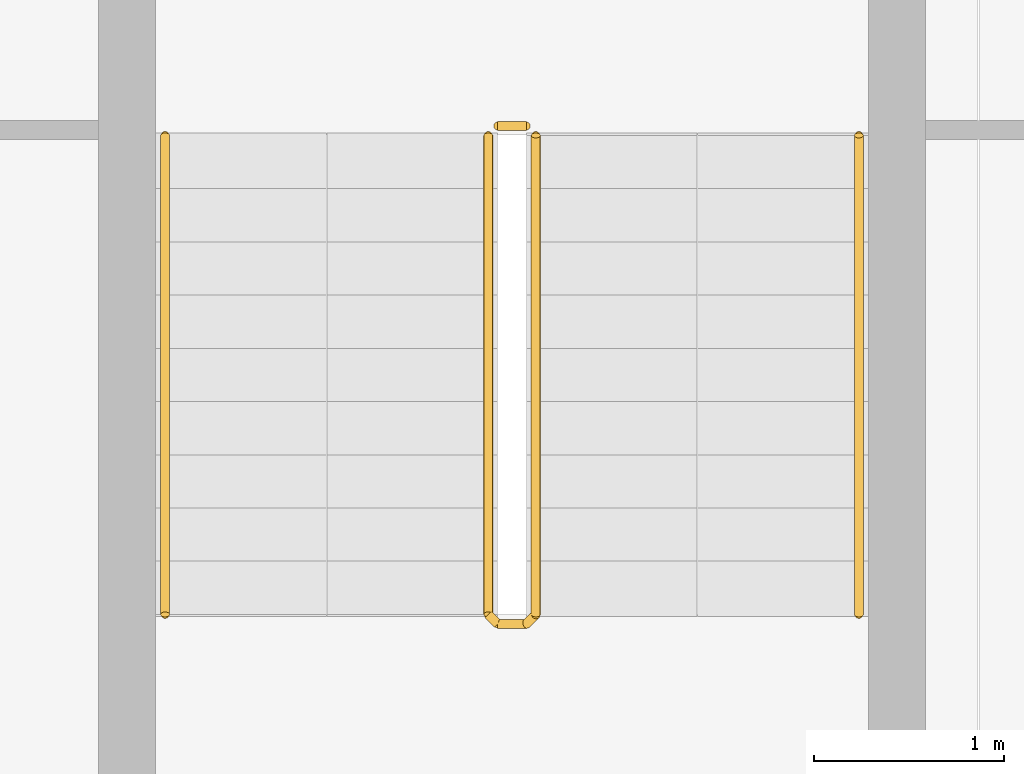
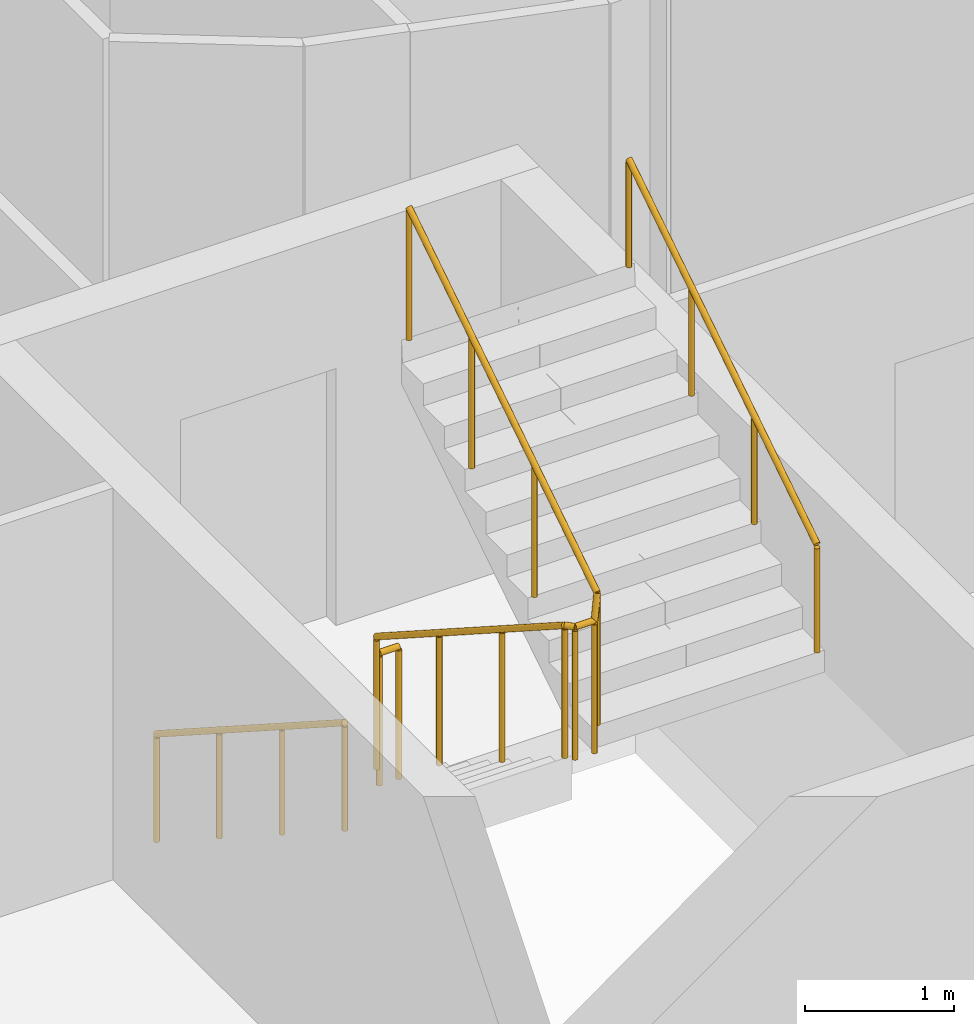
# One storey, part 26 of 28: 4 railings.
"""IFC4 building model written with IfcOpenShell, lengths in metres."""

from ifc_helpers import new_model, si_unit, direction, frame, origin, origin_2d, place, context, subcontext, project, spatial, circle, extrude, material, type_object, element, save


model = new_model("IFC4")

# Units and contexts
model_context = context("Model", 3, precision=1e-05, world=origin(), true_north=direction((0.0, 1.0)))
body_context = subcontext(model_context, "Body", "Model", "MODEL_VIEW")
ifc_project = project(units=[si_unit("LENGTHUNIT", "METRE"), si_unit("AREAUNIT", "SQUARE_METRE"), si_unit("VOLUMEUNIT", "CUBIC_METRE"), si_unit("PLANEANGLEUNIT", "RADIAN"), si_unit("MASSUNIT", "GRAM", prefix="KILO")], contexts=[model_context])

# Site, building, storey
site_placement = place(None, origin())
site = spatial("IfcSite", under=ifc_project, at=site_placement, CompositionType="ELEMENT")
building_placement = place(site_placement, origin())
building = spatial("IfcBuilding", under=site, at=building_placement, Name="Wharfspan Tower", CompositionType="ELEMENT")
storey_placement = place(building_placement, frame((0.0, 0.0, 132.699951)))
storey = spatial("IfcBuildingStorey", under=building, at=storey_placement, Name="L31", CompositionType="ELEMENT", Elevation=132.699951)

# Railings
ifc_material = material(Name="Steel S355J2", Category="steel")
railing_type_1 = type_object("IfcRailingType", Name="Stair guard 1100", PredefinedType="GUARDRAIL", material=ifc_material)
railing_1_placement = place(storey_placement, frame((43.235352, 6.316895, 0.179932)))
element("IfcRailing", 1, at=railing_1_placement, inside=storey, type_object=railing_type_1, Name="L31 ST4 stair guard 1", PredefinedType="GUARDRAIL", context=body_context, shape_type="SweptSolid", body=[
    extrude(circle(Radius=0.023926, at=origin_2d()), frame((0.0, 0.0, 1.076172), z_axis=(0.0, -0.841163, 0.540782), x_axis=(1.0, 0.0, 0.0)), (0.0, 0.0, 1.0), 2.99585),
    extrude(circle(Radius=0.023926, at=origin_2d()), frame((0.0, -2.52002, 2.696289), z_axis=(0.707107, -0.707107, 0.0), x_axis=(0.707107, 0.707107, 0.0)), (0.0, 0.0, 1.0), 0.070312),
    extrude(circle(Radius=0.023926, at=origin_2d()), frame((0.049805, -2.569824, 2.696289), z_axis=(1.0, 0.0, 0.0), x_axis=(0.0, 1.0, 0.0)), (0.0, 0.0, 1.0), 0.150146),
    extrude(circle(Radius=0.023926, at=origin_2d()), frame((0.199951, -2.569824, 2.696289), z_axis=(0.258932, 0.257669, 0.930892), x_axis=(-0.705372, 0.708833, -1e-06)), (0.0, 0.0, 1.0), 0.193359),
    extrude(circle(Radius=0.023926, at=origin_2d()), frame((0.25, -2.52002, 2.875977), z_axis=(0.0, 0.841163, 0.540782), x_axis=(-1.0, 0.0, 0.0)), (0.0, 0.0, 1.0), 2.99585),
    extrude(circle(Radius=0.020996, at=origin_2d()), origin(), (0.0, 0.0, 1.0), 1.052002),
    extrude(circle(Radius=0.020996, at=origin_2d()), frame((0.0, -0.840088, 0.540039)), (0.0, 0.0, 1.0), 1.052002),
    extrude(circle(Radius=0.020996, at=origin_2d()), frame((0.0, -1.679932, 1.080078)), (0.0, 0.0, 1.0), 1.052002),
    extrude(circle(Radius=0.020996, at=origin_2d()), frame((0.0, -2.52002, 1.620117)), (0.0, 0.0, 1.0), 1.052002),
    extrude(circle(Radius=0.020996, at=origin_2d()), frame((0.049805, -2.569824, 1.620117)), (0.0, 0.0, 1.0), 1.052002),
    extrude(circle(Radius=0.020996, at=origin_2d()), frame((0.199951, -2.569824, 1.620117)), (0.0, 0.0, 1.0), 1.052002),
    extrude(circle(Radius=0.020996, at=origin_2d()), frame((0.25, -2.52002, 1.800049)), (0.0, 0.0, 1.0), 1.052002),
    extrude(circle(Radius=0.020996, at=origin_2d()), frame((0.25, -1.679932, 2.340088)), (0.0, 0.0, 1.0), 1.052002),
    extrude(circle(Radius=0.020996, at=origin_2d()), frame((0.25, -0.840088, 2.880127)), (0.0, 0.0, 1.0), 1.052002),
    extrude(circle(Radius=0.020996, at=origin_2d()), frame((0.25, 0.0, 3.420166)), (0.0, 0.0, 1.0), 1.052002),
])
railing_2_placement = place(storey_placement, frame((43.285156, 6.366943, 0.0)))
element("IfcRailing", 2, at=railing_2_placement, inside=storey, type_object=railing_type_1, Name="L31 ST4 stair guard 2", PredefinedType="GUARDRAIL", context=body_context, shape_type="SweptSolid", body=[
    extrude(circle(Radius=0.023926, at=origin_2d()), frame((0.0, 0.0, 1.076172), z_axis=(1.0, 0.0, 0.0), x_axis=(0.0, 1.0, 0.0)), (0.0, 0.0, 1.0), 0.150146),
    extrude(circle(Radius=0.020996, at=origin_2d()), origin(), (0.0, 0.0, 1.0), 1.052002),
    extrude(circle(Radius=0.020996, at=origin_2d()), frame((0.150146, 0.0, 0.0)), (0.0, 0.0, 1.0), 1.052002),
])
railing_type_2 = type_object("IfcRailingType", Name="Stair handrail 900", PredefinedType="HANDRAIL", material=ifc_material)
railing_3_placement = place(storey_placement, frame((41.535156, 6.316895, 0.179932)))
element("IfcRailing", 3, at=railing_3_placement, inside=storey, type_object=railing_type_2, Name="L31 ST4 stair handrail 1", PredefinedType="HANDRAIL", context=body_context, shape_type="SweptSolid", body=[
    extrude(circle(Radius=0.023926, at=origin_2d()), frame((0.0, 0.0, 0.875977), z_axis=(0.0, -0.841163, 0.540782), x_axis=(1.0, 0.0, 0.0)), (0.0, 0.0, 1.0), 2.99585),
    extrude(circle(Radius=0.020996, at=origin_2d()), origin(), (0.0, 0.0, 1.0), 0.851807),
    extrude(circle(Radius=0.020996, at=origin_2d()), frame((0.0, -0.840088, 0.540039)), (0.0, 0.0, 1.0), 0.851807),
    extrude(circle(Radius=0.020996, at=origin_2d()), frame((0.0, -1.679932, 1.080078)), (0.0, 0.0, 1.0), 0.851807),
    extrude(circle(Radius=0.020996, at=origin_2d()), frame((0.0, -2.52002, 1.620117)), (0.0, 0.0, 1.0), 0.851807),
])
railing_4_placement = place(storey_placement, frame((45.185303, 3.796875, 1.97998)))
element("IfcRailing", 4, at=railing_4_placement, inside=storey, type_object=railing_type_2, Name="L31 ST4 stair handrail 2", PredefinedType="HANDRAIL", context=body_context, shape_type="SweptSolid", body=[
    extrude(circle(Radius=0.023926, at=origin_2d()), frame((0.0, 0.0, 0.875977), z_axis=(0.0, 0.841163, 0.540782), x_axis=(-1.0, 0.0, 0.0)), (0.0, 0.0, 1.0), 2.99585),
    extrude(circle(Radius=0.020996, at=origin_2d()), origin(), (0.0, 0.0, 1.0), 0.851807),
    extrude(circle(Radius=0.020996, at=origin_2d()), frame((0.0, 0.840088, 0.540039)), (0.0, 0.0, 1.0), 0.851807),
    extrude(circle(Radius=0.020996, at=origin_2d()), frame((0.0, 1.679932, 1.080078)), (0.0, 0.0, 1.0), 0.851807),
    extrude(circle(Radius=0.020996, at=origin_2d()), frame((0.0, 2.52002, 1.620117)), (0.0, 0.0, 1.0), 0.851807),
])

save(model, "model.ifc")
